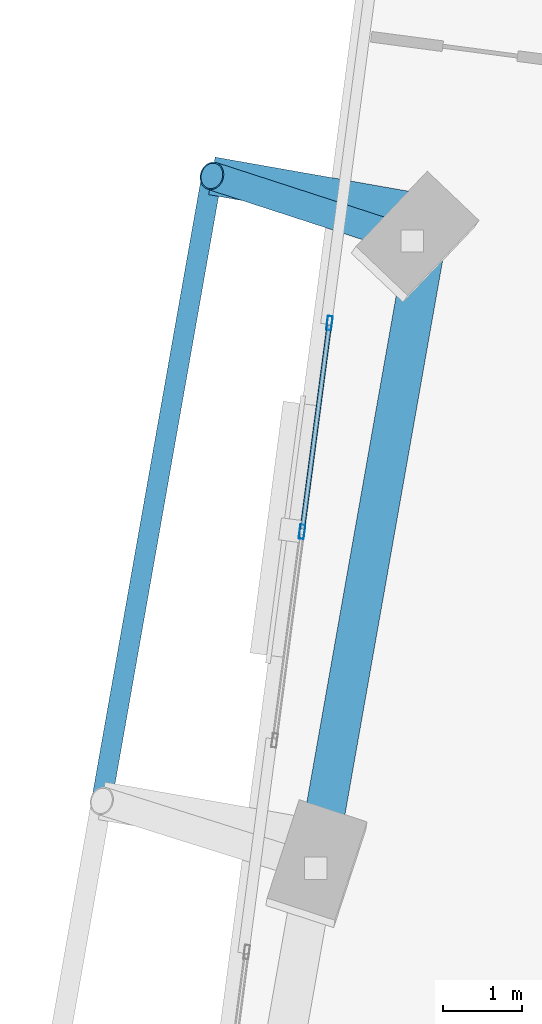
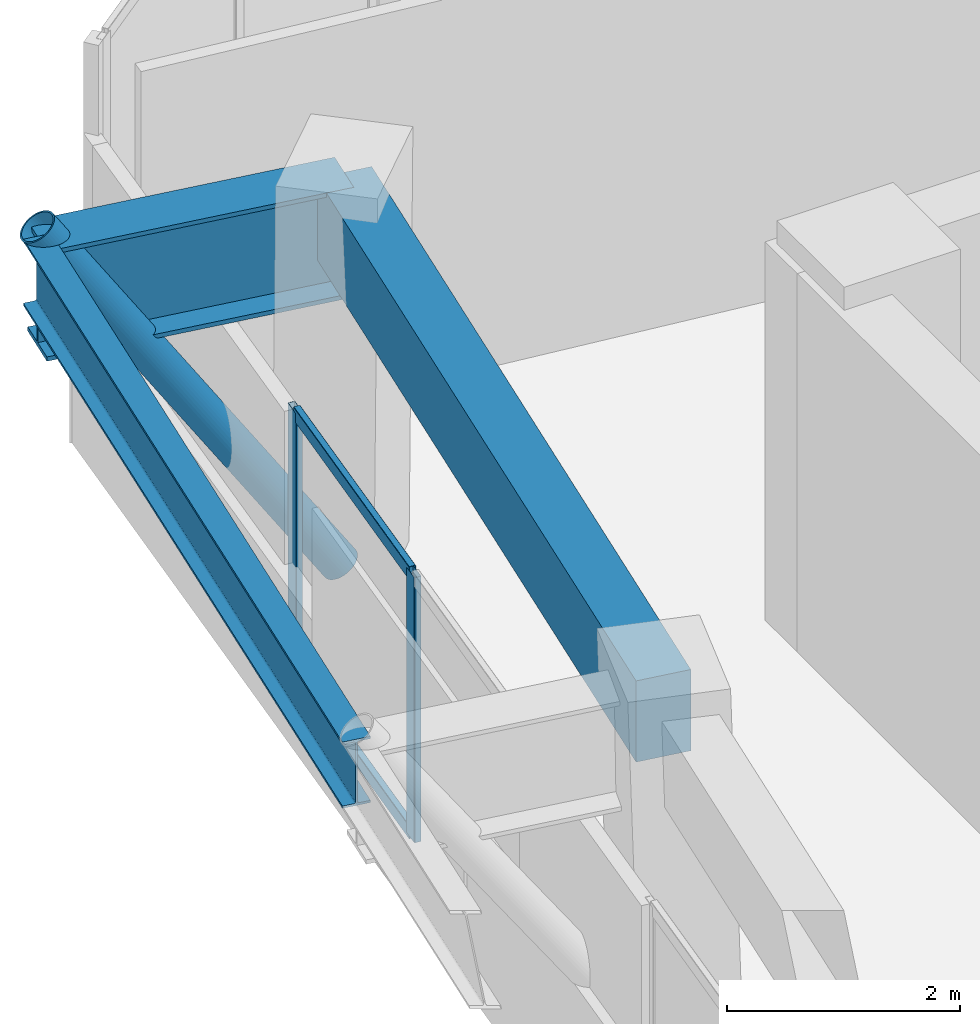
# One storey, part 7 of 24: 5 members, 3 beams, 1 element without a shape of its own.
"""IFC4 building model written with IfcOpenShell, lengths in metres."""

from ifc_helpers import new_model, si_unit, direction, frame, origin, origin_2d, place, context, subcontext, project, spatial, rectangle, hollow_rectangle, hollow_circle, i_section, extrude, source, transform, mapped, material, material_profile, profile_set, type_object, element, aggregate, save


model = new_model("IFC4")

# Units and contexts
model_context = context("Model", 3, precision=1e-05, world=origin(), true_north=direction((0.0, 1.0)))
body_context = subcontext(model_context, "Body", "Model", "MODEL_VIEW")
ifc_project = project(units=[si_unit("LENGTHUNIT", "METRE"), si_unit("AREAUNIT", "SQUARE_METRE"), si_unit("VOLUMEUNIT", "CUBIC_METRE"), si_unit("PLANEANGLEUNIT", "RADIAN"), si_unit("MASSUNIT", "GRAM", prefix="KILO")], contexts=[model_context])

# Site, building, storey
site_placement = place(None, origin())
site = spatial("IfcSite", under=ifc_project, at=site_placement, CompositionType="ELEMENT")
building_placement = place(site_placement, origin())
building = spatial("IfcBuilding", under=site, at=building_placement, Name="Torre Montelarca", CompositionType="ELEMENT")
storey_placement = place(building_placement, frame((0.0, 0.0, 70.60009765625)))
storey = spatial("IfcBuildingStorey", under=building, at=storey_placement, Name="L15", CompositionType="ELEMENT", Elevation=70.60009765625)

# Member
ifc_material_1 = material(Name="Steel ASTM A500 Grade C", Category="steel")
ifc_material_profile_1 = material_profile(ifc_material_1, hollow_circle(Radius=0.177734375, WallThickness=0.015869140625, at=origin_2d()), Name="HSS355.6X15.9", Category="steel")
ifc_profile_set_1 = profile_set([ifc_material_profile_1], Name="Steel ASTM A500 Grade C")
member_type_1 = type_object("IfcMemberType", Name="MB-BR-CHS356-EXT", PredefinedType="BRACE", material=ifc_profile_set_1)
shared_shape_1 = source(origin(), body_context, "Body", "SweptSolid", [
    extrude(hollow_circle(Radius=0.177734375, WallThickness=0.015869140625, at=origin_2d()), origin(), (0.0, 0.0, 1.0), 4.726318359375),
])
member_1_placement = place(storey_placement, frame((6.06298828125, 42.47021484375, 0.14990234375), z_axis=(-0.534327059114, 0.173563313865, 0.827266807009), x_axis=(-0.308936377944, -0.951082706384, 0.0)))
element("IfcMember", 1, at=member_1_placement, inside=storey, type_object=member_type_1, Name="L16 Sliding Tray Exterior Diagonal Raker Strut W3", PredefinedType="BRACE", context=body_context, shape_type="MappedRepresentation", body=[
    mapped(shared_shape_1, transform((0.0, 0.0, 0.0), scale=1.0)),
])

# Beams
ifc_material_2 = material(Name="Concrete C55/67", Category="concrete")
ifc_material_profile_2 = material_profile(ifc_material_2, rectangle(XDim=0.5, YDim=0.85009765625, at=origin_2d()), Name="RCB500X850", Category="concrete")
ifc_profile_set_2 = profile_set([ifc_material_profile_2], Name="Concrete C55/67")
beam_type_1 = type_object("IfcBeamType", Name="BM-SP-RC850-EXT", PredefinedType="SPANDREL", material=ifc_profile_set_2)
shared_shape_2 = source(origin(), body_context, "Body", "SweptSolid", [
    extrude(rectangle(XDim=0.5, YDim=0.85009765625, at=origin_2d()), origin(), (0.0, 0.0, 1.0), 8.0),
])
beam_1_placement = place(storey_placement, frame((4.906005859375, 34.926025390625, 3.534912109375), z_axis=(0.173646056486, 0.984808127031, 0.0), x_axis=(-0.984808127031, 0.173646056486, 0.0)))
element("IfcBeam", 2, at=beam_1_placement, inside=storey, type_object=beam_type_1, Name="L15 Grid Girder Y 32.0-40.0 at X=4.7", PredefinedType="SPANDREL", context=body_context, shape_type="MappedRepresentation", body=[
    mapped(shared_shape_2, transform((0.0, 0.0, 0.0), scale=1.0)),
])
ifc_material_3 = material(Name="Steel ASTM A992 Grade 50", Category="steel")
ifc_material_profile_3 = material_profile(ifc_material_3, i_section(OverallWidth=0.256103515625, OverallDepth=0.693115234375, WebThickness=0.014404296875, FlangeThickness=0.023681640625, FilletRadius=0.01806640625, at=origin_2d()), Name="W690X170", Category="steel")
ifc_profile_set_3 = profile_set([ifc_material_profile_3], Name="Steel ASTM A992 Grade 50")
beam_type_2 = type_object("IfcBeamType", Name="BM-G-W690-EXT", PredefinedType="BEAM", material=ifc_profile_set_3)
shared_shape_3 = source(origin(), body_context, "Body", "SweptSolid", [
    extrude(i_section(OverallWidth=0.256103515625, OverallDepth=0.693115234375, WebThickness=0.014404296875, FlangeThickness=0.023681640625, FilletRadius=0.01806640625, at=origin_2d()), origin(), (0.0, 0.0, 1.0), 8.0),
])
beam_2_placement = place(storey_placement, frame((2.1484375, 35.412109375, 3.614013671875), z_axis=(0.173646056486, 0.984808127031, 0.0), x_axis=(-0.984808127031, 0.173646056486, 0.0)))
element("IfcBeam", 3, at=beam_2_placement, inside=storey, type_object=beam_type_2, Name="L15 Sliding Tray Edge Girder West 32.0-40.0m (FLR)", PredefinedType="BEAM", context=body_context, shape_type="MappedRepresentation", body=[
    mapped(shared_shape_3, transform((0.0, 0.0, 0.0), scale=1.0)),
])
ifc_material_4 = material(Name="Steel ASTM A572 Grade 50", Category="steel")
ifc_material_profile_4 = material_profile(ifc_material_4, i_section(OverallWidth=0.47998046875, OverallDepth=1.14990234375, WebThickness=0.02197265625, FlangeThickness=0.044921875, at=origin_2d()), Name="PG1150X480X22X45", Category="steel")
ifc_profile_set_4 = profile_set([ifc_material_profile_4], Name="Steel ASTM A572 Grade 50")
beam_type_3 = type_object("IfcBeamType", Name="BM-CG-PG1400-EXT", PredefinedType="USERDEFINED", material=ifc_profile_set_4)
shared_shape_4 = source(origin(), body_context, "Body", "SweptSolid", [
    extrude(i_section(OverallWidth=0.47998046875, OverallDepth=1.14990234375, WebThickness=0.02197265625, FlangeThickness=0.044921875, at=origin_2d()), origin(), (0.0, 0.0, 1.0), 2.800048828125),
])
beam_3_placement = place(storey_placement, frame((6.295166015625, 42.804443359375, 3.385009765625), z_axis=(-0.984816895441, 0.173596320392, 0.0), x_axis=(-0.173596320392, -0.984816895441, 0.0)))
element("IfcBeam", 4, at=beam_3_placement, inside=storey, type_object=beam_type_3, Name="L15 Sliding Tray Cantilever Girder West Y=40.0m (FLR)", ObjectType="CANTILEVER GIRDER", PredefinedType="USERDEFINED", context=body_context, shape_type="MappedRepresentation", body=[
    mapped(shared_shape_4, transform((0.0, 0.0, 0.0), scale=1.0)),
])

# Curtain wall, members
ifc_material_5 = material(Name="Insulated low-E laminated glass", Category="glass")
curtain_wall_type = type_object("IfcCurtainWallType", Name="CW-SYS-Z1", PredefinedType="USERDEFINED", material=ifc_material_5)
curtain_wall_placement = place(storey_placement, origin())
curtain_wall = element("IfcCurtainWall", 5, at=curtain_wall_placement, inside=storey, type_object=curtain_wall_type, Name="L15 Curtain Wall Run CW-T3-L15-E10-B1", ObjectType="UNITISED GLAZING", PredefinedType="USERDEFINED")
ifc_material_6 = material(Name="Anodised aluminium AA 6063-T6", Category="aluminium")
ifc_material_profile_5 = material_profile(ifc_material_6, hollow_rectangle(XDim=0.06494140625, YDim=0.139892578125, WallThickness=0.00390625, InnerFilletRadius=0.00390625, OuterFilletRadius=0.008056640625, at=origin_2d()), Name="ALU65X140X4", Category="aluminium")
ifc_profile_set_5 = profile_set([ifc_material_profile_5], Name="Anodised aluminium AA 6063-T6")
member_type_2 = type_object("IfcMemberType", Name="CWT-ALU140", PredefinedType="USERDEFINED", material=ifc_profile_set_5)
shared_shape_5 = source(origin(), body_context, "Body", "SweptSolid", [
    extrude(hollow_rectangle(XDim=0.06494140625, YDim=0.139892578125, WallThickness=0.00390625, InnerFilletRadius=0.00390625, OuterFilletRadius=0.008056640625, at=origin_2d()), origin(), (0.0, 0.0, 1.0), 2.587890625),
])
member_2_placement = place(storey_placement, frame((5.016357421875, 41.402587890625, 0.032470703125), z_axis=(-0.130569211945, -0.99143919677, 0.0), x_axis=(0.99143919677, -0.130569211945, 0.0)))
member_2 = element("IfcMember", 6, at=member_2_placement, type_object=member_type_2, Name="CW transom 1.1", ObjectType="TRANSOM", PredefinedType="USERDEFINED", context=body_context, shape_type="MappedRepresentation", body=[
    mapped(shared_shape_5, transform((0.0, 0.0, 0.0), scale=1.0)),
])
member_3_placement = place(storey_placement, frame((5.016357421875, 41.402587890625, 2.742431640625), z_axis=(-0.130569211945, -0.99143919677, 0.0), x_axis=(0.99143919677, -0.130569211945, 0.0)))
member_3 = element("IfcMember", 7, at=member_3_placement, type_object=member_type_2, Name="CW transom 1.2", ObjectType="TRANSOM", PredefinedType="USERDEFINED", context=body_context, shape_type="MappedRepresentation", body=[
    mapped(shared_shape_5, transform((0.0, 0.0, 0.0), scale=1.0)),
])
ifc_material_profile_6 = material_profile(ifc_material_6, hollow_rectangle(XDim=0.06494140625, YDim=0.179931640625, WallThickness=0.00390625, InnerFilletRadius=0.00390625, OuterFilletRadius=0.008056640625, at=origin_2d()), Name="ALU65X180X4", Category="aluminium")
ifc_profile_set_6 = profile_set([ifc_material_profile_6], Name="Anodised aluminium AA 6063-T6")
member_type_3 = type_object("IfcMemberType", Name="CWM-ALU180", PredefinedType="MULLION", material=ifc_profile_set_6)
shared_shape_6 = source(origin(), body_context, "Body", "SweptSolid", [
    extrude(hollow_rectangle(XDim=0.06494140625, YDim=0.179931640625, WallThickness=0.00390625, InnerFilletRadius=0.00390625, OuterFilletRadius=0.008056640625, at=origin_2d()), origin(), (0.0, 0.0, 1.0), 2.77490234375),
])
member_4_placement = place(storey_placement, frame((5.0205078125, 41.434814453125, 0.0), z_axis=(0.0, 0.0, 1.0), x_axis=(0.991445103629, -0.130524352098, 0.0)))
member_4 = element("IfcMember", 8, at=member_4_placement, type_object=member_type_3, Name="CW mullion 1", PredefinedType="MULLION", context=body_context, shape_type="MappedRepresentation", body=[
    mapped(shared_shape_6, transform((0.0, 0.0, 0.0), scale=1.0)),
])
member_5_placement = place(storey_placement, frame((4.67431640625, 38.8046875, 0.0), z_axis=(0.0, 0.0, 1.0), x_axis=(0.991445103629, -0.130524352098, 0.0)))
member_5 = element("IfcMember", 9, at=member_5_placement, type_object=member_type_3, Name="CW mullion 2", PredefinedType="MULLION", context=body_context, shape_type="MappedRepresentation", body=[
    mapped(shared_shape_6, transform((0.0, 0.0, 0.0), scale=1.0)),
])
aggregate(curtain_wall, [member_4, member_5, member_2, member_3])

save(model, "model.ifc")
